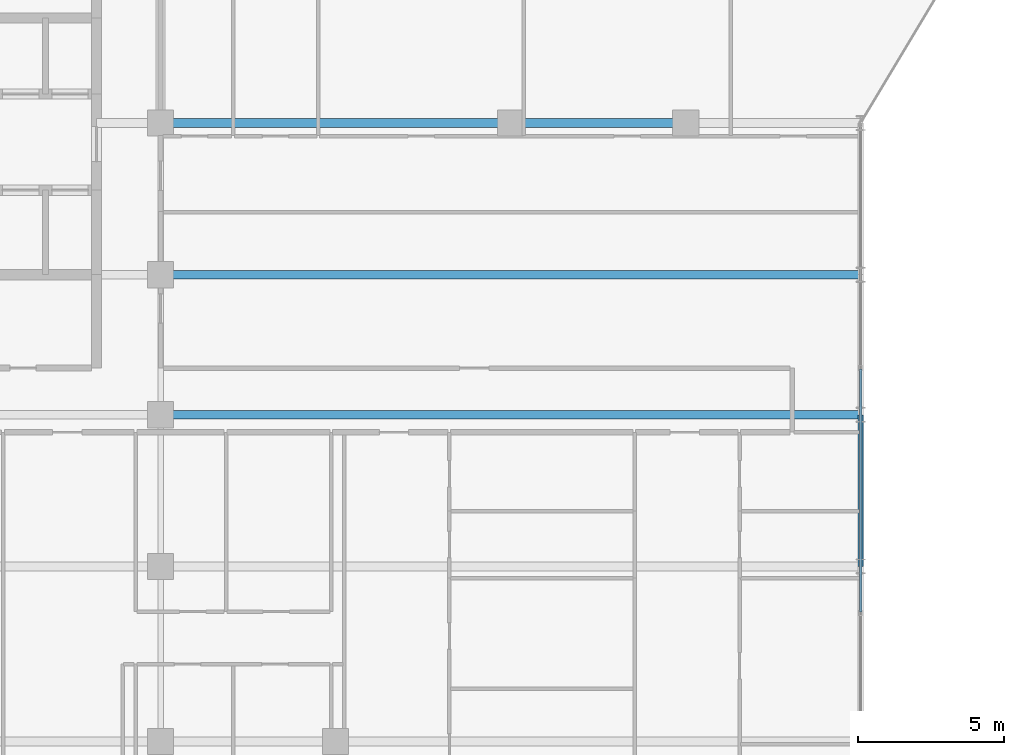
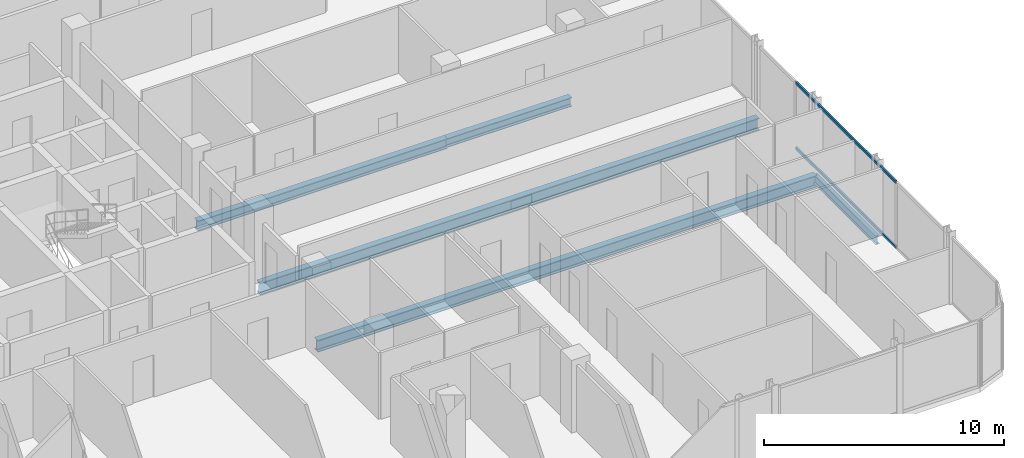
# One storey, part 12 of 31: 5 beams, 2 members, 1 element without a shape of its own.
"""IFC4 building model written with IfcOpenShell, lengths in metres."""

from ifc_helpers import new_model, si_unit, direction, frame, origin, origin_2d, place, context, subcontext, project, spatial, hollow_rectangle, i_section, extrude, material, layer, layer_set, material_profile, profile_set, type_object, element, aggregate, save


model = new_model("IFC4")

# Units and contexts
model_context = context("Model", 3, precision=1e-05, world=origin(), true_north=direction((0.0, 1.0)))
body_context = subcontext(model_context, "Body", "Model", "MODEL_VIEW")
ifc_project = project(units=[si_unit("LENGTHUNIT", "METRE"), si_unit("AREAUNIT", "SQUARE_METRE"), si_unit("VOLUMEUNIT", "CUBIC_METRE"), si_unit("PLANEANGLEUNIT", "RADIAN"), si_unit("MASSUNIT", "GRAM", prefix="KILO")], contexts=[model_context])

# Site, building, storey
site_placement = place(None, origin())
site = spatial("IfcSite", under=ifc_project, at=site_placement, CompositionType="ELEMENT")
building_placement = place(site_placement, origin())
building = spatial("IfcBuilding", under=site, at=building_placement, Name="Keshet Zoharim Tower", CompositionType="ELEMENT")
storey_placement = place(building_placement, frame((0.0, 0.0, 129.800048828125)))
storey = spatial("IfcBuildingStorey", under=building, at=storey_placement, Name="L31", CompositionType="ELEMENT", Elevation=129.800048828125)

# Beams
ifc_material_1 = material(Name="Steel S355", Category="steel")
ifc_material_profile_1 = material_profile(ifc_material_1, i_section(OverallWidth=0.300048828125, OverallDepth=0.60009765625, WebThickness=0.015380859375, FlangeThickness=0.030029296875, FilletRadius=0.027099609375, at=origin_2d()), Name="HEB600")
ifc_profile_set_1 = profile_set([ifc_material_profile_1], Name="Steel S355")
beam_type_1 = type_object("IfcBeamType", Name="BM-LNG-HB600", PredefinedType="BEAM", material=ifc_profile_set_1)
for number, where, z_axis, x_axis, name in (
    (1, (33.0, 17.89990234375, -0.614990234375), (1.0, 0.0, 0.0), (0.0, 1.0, 0.0), "L31 Primary Girder X-013"),
    (2, (33.0, 22.699951171875, -0.614990234375), (1.0, 0.0, 0.0), (0.0, 1.0, 0.0), "L31 Primary Girder X-014"),
):
    element("IfcBeam", number, at=place(storey_placement, frame(where, z_axis=z_axis, x_axis=x_axis)), inside=storey, type_object=beam_type_1, Name=name, PredefinedType="BEAM", context=body_context, shape_type="SweptSolid", body=[
        extrude(i_section(OverallWidth=0.300048828125, OverallDepth=0.60009765625, WebThickness=0.015380859375, FlangeThickness=0.030029296875, FilletRadius=0.027099609375, at=origin_2d()), origin(), (0.0, 0.0, 1.0), 24.0),
    ])
ifc_material_profile_2 = material_profile(ifc_material_1, i_section(OverallWidth=0.300048828125, OverallDepth=0.5, WebThickness=0.014404296875, FlangeThickness=0.028076171875, FilletRadius=0.027099609375, at=origin_2d()), Name="HEB500")
ifc_profile_set_2 = profile_set([ifc_material_profile_2], Name="Steel S355")
beam_type_2 = type_object("IfcBeamType", Name="BM-MED-HB500", PredefinedType="BEAM", material=ifc_profile_set_2)
beam_1_placement = place(storey_placement, frame((33.0, 27.89990234375, -0.56494140625), z_axis=(1.0, 0.0, 0.0), x_axis=(0.0, 1.0, 0.0)))
element("IfcBeam", 3, at=beam_1_placement, inside=storey, type_object=beam_type_2, Name="L31 Primary Girder X-015", PredefinedType="BEAM", context=body_context, shape_type="SweptSolid", body=[
    extrude(i_section(OverallWidth=0.300048828125, OverallDepth=0.5, WebThickness=0.014404296875, FlangeThickness=0.028076171875, FilletRadius=0.027099609375, at=origin_2d()), origin(), (0.0, 0.0, 1.0), 12.0),
])
ifc_material_profile_3 = material_profile(ifc_material_1, i_section(OverallWidth=0.18994140625, OverallDepth=0.449951171875, WebThickness=0.009521484375, FlangeThickness=0.0146484375, FilletRadius=0.02099609375, at=origin_2d()), Name="IPE450")
ifc_profile_set_3 = profile_set([ifc_material_profile_3], Name="Steel S355")
beam_type_3 = type_object("IfcBeamType", Name="BM-PRI-IP450", PredefinedType="BEAM", material=ifc_profile_set_3)
beam_2_placement = place(storey_placement, frame((57.0, 12.699951171875, -0.5400390625), z_axis=(0.0, 1.0, 0.0), x_axis=(-1.0, 0.0, 0.0)))
element("IfcBeam", 4, at=beam_2_placement, inside=storey, type_object=beam_type_3, Name="L31 Primary Girder Y-014", PredefinedType="BEAM", context=body_context, shape_type="SweptSolid", body=[
    extrude(i_section(OverallWidth=0.18994140625, OverallDepth=0.449951171875, WebThickness=0.009521484375, FlangeThickness=0.0146484375, FilletRadius=0.02099609375, at=origin_2d()), origin(), (0.0, 0.0, 1.0), 5.199951171875),
])
ifc_material_profile_4 = material_profile(ifc_material_1, i_section(OverallWidth=0.300048828125, OverallDepth=0.449951171875, WebThickness=0.013916015625, FlangeThickness=0.02587890625, FilletRadius=0.027099609375, at=origin_2d()), Name="HEB450")
ifc_profile_set_4 = profile_set([ifc_material_profile_4], Name="Steel S355")
beam_type_4 = type_object("IfcBeamType", Name="BM-WEB-HB450", PredefinedType="BEAM", material=ifc_profile_set_4)
beam_3_placement = place(storey_placement, frame((45.0, 27.89990234375, -0.5400390625), z_axis=(1.0, 0.0, 0.0), x_axis=(0.0, 1.0, 0.0)))
element("IfcBeam", 5, at=beam_3_placement, inside=storey, type_object=beam_type_4, Name="L31 Primary Girder X-016", PredefinedType="BEAM", context=body_context, shape_type="SweptSolid", body=[
    extrude(i_section(OverallWidth=0.300048828125, OverallDepth=0.449951171875, WebThickness=0.013916015625, FlangeThickness=0.02587890625, FilletRadius=0.027099609375, at=origin_2d()), origin(), (0.0, 0.0, 1.0), 6.0),
])

# Curtain wall, members
ifc_material_2 = material(Name="Aluminium 6063-T6", Category="aluminium")
ifc_layer = layer(ifc_material_2, 0.159912109375)
ifc_layer_set = layer_set([ifc_layer], Name="Aluminium 6063-T6")
curtain_wall_type = type_object("IfcCurtainWallType", Name="CW-SYS-03", PredefinedType="NOTDEFINED", material=ifc_layer_set)
curtain_wall_placement = place(storey_placement, origin())
curtain_wall = element("IfcCurtainWall", 6, at=curtain_wall_placement, inside=storey, type_object=curtain_wall_type, Name="L31 Unitised Curtain Wall 19", PredefinedType="NOTDEFINED")
ifc_material_profile_5 = material_profile(ifc_material_2, hollow_rectangle(XDim=0.080078125, YDim=0.139892578125, WallThickness=0.00390625, at=origin_2d()), Name="TRN-80x140")
ifc_profile_set_5 = profile_set([ifc_material_profile_5], Name="Aluminium 6063-T6")
member_type = type_object("IfcMemberType", Name="CWT-T14", PredefinedType="USERDEFINED", material=ifc_profile_set_5)
member_1_placement = place(storey_placement, frame((57.0, 19.465087890625, 0.034912109375), z_axis=(0.0, -1.0, 0.0), x_axis=(1.0, 0.0, 0.0)))
member_1 = element("IfcMember", 7, at=member_1_placement, type_object=member_type, Name="CW-03 transom 2.1", ObjectType="TRANSOM", PredefinedType="USERDEFINED", context=body_context, shape_type="SweptSolid", body=[
    extrude(hollow_rectangle(XDim=0.080078125, YDim=0.139892578125, WallThickness=0.00390625, at=origin_2d()), origin(), (0.0, 0.0, 1.0), 8.330078125),
])
member_2_placement = place(storey_placement, frame((57.0, 19.465087890625, 3.349853515625), z_axis=(0.0, -1.0, 0.0), x_axis=(1.0, 0.0, 0.0)))
member_2 = element("IfcMember", 8, at=member_2_placement, type_object=member_type, Name="CW-03 transom 2.2", ObjectType="TRANSOM", PredefinedType="USERDEFINED", context=body_context, shape_type="SweptSolid", body=[
    extrude(hollow_rectangle(XDim=0.080078125, YDim=0.139892578125, WallThickness=0.00390625, at=origin_2d()), origin(), (0.0, 0.0, 1.0), 8.330078125),
])
aggregate(curtain_wall, [member_1, member_2])

save(model, "model.ifc")
